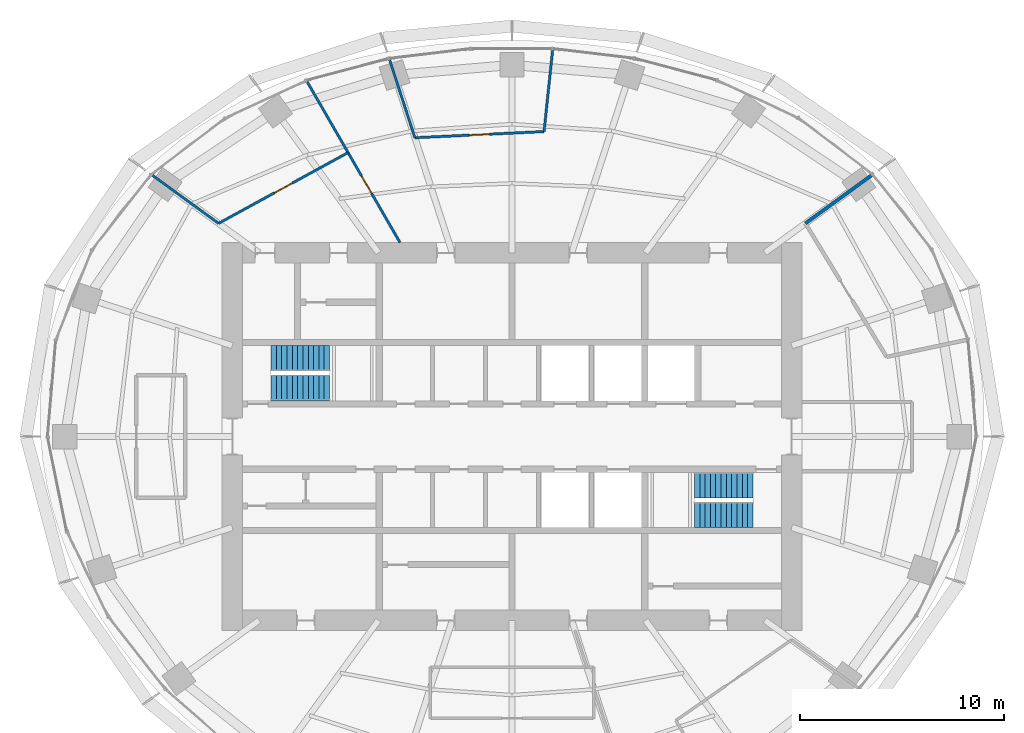
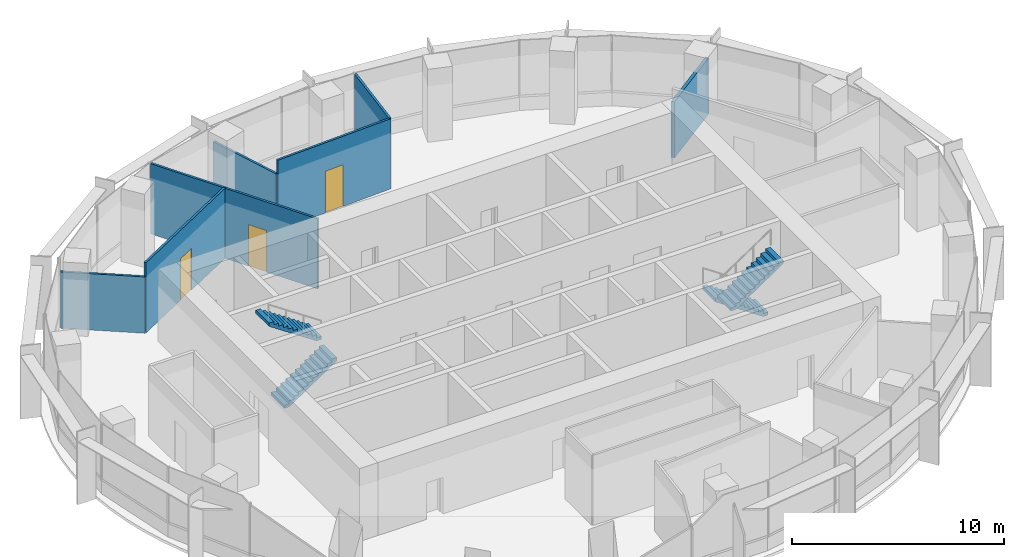
# One storey, part 11 of 13: 7 walls, 4 stair flights, 3 doors, 3 openings, 2 elements without a shape of their own.
"""IFC4 building model written with IfcOpenShell, lengths in metres."""

from ifc_helpers import new_model, si_unit, direction, frame, frame_2d, origin, place, context, subcontext, project, spatial, polyline, rectangle, outline, extrude, material, layer, layer_set, type_object, element, fill, aggregate, save


model = new_model("IFC4")

# Units and contexts
model_context = context("Model", 3, precision=1e-05, world=origin(), true_north=direction((0.0, 1.0)))
body_context = subcontext(model_context, "Body", "Model", "MODEL_VIEW")
ifc_project = project(units=[si_unit("LENGTHUNIT", "METRE"), si_unit("AREAUNIT", "SQUARE_METRE"), si_unit("VOLUMEUNIT", "CUBIC_METRE"), si_unit("PLANEANGLEUNIT", "RADIAN"), si_unit("MASSUNIT", "GRAM", prefix="KILO")], contexts=[model_context])

# Site, building, storey
site_placement = place(None, origin())
site = spatial("IfcSite", under=ifc_project, at=site_placement, CompositionType="ELEMENT")
building_placement = place(site_placement, origin())
building = spatial("IfcBuilding", under=site, at=building_placement, Name="Marramba Exchange Tower", CompositionType="ELEMENT")
storey_placement = place(building_placement, frame((0.0, 0.0, 260.199951171875)))
storey = spatial("IfcBuildingStorey", under=building, at=storey_placement, Name="L63", CompositionType="ELEMENT", Elevation=260.199951171875)

# Walls
ifc_material_1 = material(Name="Plasterboard on staggered double steel studs, acoustic insulation", Category="steel")
ifc_layer_1 = layer(ifc_material_1, 0.169921875)
ifc_layer_set_1 = layer_set([ifc_layer_1], Name="Acoustic partition 170")
wall_type_1 = type_object("IfcWallType", Name="Acoustic partition 170", PredefinedType="PARTITIONING", material=ifc_layer_set_1)
wall_1_placement = place(storey_placement, frame((17.608642578125, 12.79345703125, 0.0), z_axis=(0.0, 0.0, 1.0), x_axis=(-0.809026317077, -0.587772420479, 0.0)))
element("IfcWall", 1, at=wall_1_placement, inside=storey, type_object=wall_type_1, Name="Acoustic partition L63 18", PredefinedType="PARTITIONING", context=body_context, shape_type="SweptSolid", body=[
    extrude(rectangle(XDim=4.0, YDim=0.169921875, at=frame_2d((2.0, 0.0))), origin(), (0.0, 0.0, 1.0), 3.239990234375),
])
ifc_material_2 = material(Name="Plasterboard on steel studs", Category="steel")
ifc_layer_2 = layer(ifc_material_2, 0.1201171875)
ifc_layer_set_2 = layer_set([ifc_layer_2], Name="Partition 120")
wall_type_2 = type_object("IfcWallType", Name="Partition 120", PredefinedType="PARTITIONING", material=ifc_layer_set_2)
wall_2_placement = place(storey_placement, frame((1.5703125, 14.939208984375, 0.0), z_axis=(0.0, 0.0, 1.0), x_axis=(0.104487806028, 0.994526167776, 0.0)))
element("IfcWall", 2, at=wall_2_placement, inside=storey, type_object=wall_type_2, Name="Partition L63 19", PredefinedType="PARTITIONING", context=body_context, shape_type="SweptSolid", body=[
    extrude(rectangle(XDim=4.000244140625, YDim=0.1201171875, at=frame_2d((2.0, 0.0))), origin(), (0.0, 0.0, 1.0), 4.0400390625),
])

# Wall, opening, door
wall_3_placement = place(storey_placement, frame((-4.755615234375, 14.63671875, 0.0), z_axis=(0.0, 0.0, 1.0), x_axis=(0.998858698779, 0.04776295503, 0.0)))
wall_3 = element("IfcWall", 3, at=wall_3_placement, inside=storey, type_object=wall_type_2, Name="Partition L63 20", PredefinedType="PARTITIONING", context=body_context, shape_type="SweptSolid", body=[
    extrude(rectangle(XDim=6.333251953125, YDim=0.1201171875, at=frame_2d((3.16650390625, 0.0))), origin(), (0.0, 0.0, 1.0), 4.0400390625),
])
opening_1_placement = place(wall_3_placement, frame((2.6669921875, 0.0, 0.0)))
opening_1 = element("IfcOpeningElement", 4, at=opening_1_placement, cuts=wall_3, Name="Opening D9", PredefinedType="OPENING", context=body_context, shape_type="SweptSolid", body=[
    extrude(rectangle(XDim=1.0, YDim=2.39990234375, at=frame_2d((0.5, 1.199951171875))), frame((0.0, 0.070068359375, 0.0), z_axis=(0.0, -1.0, 0.0), x_axis=(1.0, 0.0, 0.0)), (0.0, 0.0, 1.0), 0.14013671875),
])
ifc_material_3 = material(Name="Timber door", Category="wood")
door_type = type_object("IfcDoorType", Name="Room door 1000x2400", OperationType="SINGLE_SWING_LEFT", PredefinedType="DOOR", material=ifc_material_3)
door_1_placement = place(opening_1_placement, origin())
door_1 = element("IfcDoor", 5, at=door_1_placement, inside=storey, type_object=door_type, Name="D9 Executive Office 1 L63", OperationType="SINGLE_SWING_RIGHT", OverallHeight=2.39990234375, OverallWidth=1.0, PredefinedType="DOOR", context=body_context, shape_type="SweptSolid", body=[
    extrude(rectangle(XDim=1.0, YDim=2.39990234375, at=frame_2d((0.5, 1.199951171875))), frame((0.0, 0.02490234375, 0.0), z_axis=(0.0, -1.0, 0.0), x_axis=(1.0, 0.0, 0.0)), (0.0, 0.0, 1.0), 0.050048828125),
])
fill(opening_1, door_1)

# Wall
wall_4_placement = place(storey_placement, frame((-5.99169921875, 18.44091796875, 0.0), z_axis=(0.0, 0.0, 1.0), x_axis=(0.309022586479, -0.951054699292, 0.0)))
element("IfcWall", 6, at=wall_4_placement, inside=storey, type_object=wall_type_2, Name="Partition L63 21", PredefinedType="PARTITIONING", context=body_context, shape_type="SweptSolid", body=[
    extrude(rectangle(XDim=4.0, YDim=0.1201171875, at=frame_2d((2.0, 0.0))), origin(), (0.0, 0.0, 1.0), 3.239990234375),
])

# Wall, opening, door
wall_5_placement = place(storey_placement, frame((-5.48486328125, 9.5, 0.0), z_axis=(0.0, 0.0, 1.0), x_axis=(-0.499988999718, 0.866031754707, 0.0)))
wall_5 = element("IfcWall", 7, at=wall_5_placement, inside=storey, type_object=wall_type_2, Name="Partition L63 22", PredefinedType="PARTITIONING", context=body_context, shape_type="SweptSolid", body=[
    extrude(rectangle(XDim=9.091552734375, YDim=0.1201171875, at=frame_2d((4.5458984375, 0.0))), origin(), (0.0, 0.0, 1.0), 4.0400390625),
])
opening_2_placement = place(wall_5_placement, frame((2.77197265625, 0.0, 0.0)))
opening_2 = element("IfcOpeningElement", 8, at=opening_2_placement, cuts=wall_5, Name="Opening D9", PredefinedType="OPENING", context=body_context, shape_type="SweptSolid", body=[
    extrude(rectangle(XDim=1.0, YDim=2.39990234375, at=frame_2d((0.5, 1.199951171875))), frame((0.0, 0.070068359375, 0.0), z_axis=(0.0, -1.0, 0.0), x_axis=(1.0, 0.0, 0.0)), (0.0, 0.0, 1.0), 0.14013671875),
])
door_2_placement = place(opening_2_placement, origin())
door_2 = element("IfcDoor", 9, at=door_2_placement, inside=storey, type_object=door_type, Name="D9 Executive Lounge L63", OperationType="SINGLE_SWING_RIGHT", OverallHeight=2.39990234375, OverallWidth=1.0, PredefinedType="DOOR", context=body_context, shape_type="SweptSolid", body=[
    extrude(rectangle(XDim=1.0, YDim=2.39990234375, at=frame_2d((0.5, 1.199951171875))), frame((0.0, 0.02490234375, 0.0), z_axis=(0.0, -1.0, 0.0), x_axis=(1.0, 0.0, 0.0)), (0.0, 0.0, 1.0), 0.050048828125),
])
fill(opening_2, door_2)

wall_6_placement = place(storey_placement, frame((-14.37255859375, 10.4423828125, 0.0), z_axis=(0.0, 0.0, 1.0), x_axis=(0.877444670923, 0.479677860099, 0.0)))
wall_6 = element("IfcWall", 10, at=wall_6_placement, inside=storey, type_object=wall_type_2, Name="Partition L63 23", PredefinedType="PARTITIONING", context=body_context, shape_type="SweptSolid", body=[
    extrude(rectangle(XDim=7.227783203125, YDim=0.1201171875, at=frame_2d((3.61376953125, 0.0))), origin(), (0.0, 0.0, 1.0), 4.0400390625),
])
opening_3_placement = place(wall_6_placement, frame((3.114013671875, 0.0, 0.0)))
opening_3 = element("IfcOpeningElement", 11, at=opening_3_placement, cuts=wall_6, Name="Opening D9", PredefinedType="OPENING", context=body_context, shape_type="SweptSolid", body=[
    extrude(rectangle(XDim=1.0, YDim=2.39990234375, at=frame_2d((0.5, 1.199951171875))), frame((0.0, 0.070068359375, 0.0), z_axis=(0.0, -1.0, 0.0), x_axis=(1.0, 0.0, 0.0)), (0.0, 0.0, 1.0), 0.14013671875),
])
door_3_placement = place(opening_3_placement, origin())
door_3 = element("IfcDoor", 12, at=door_3_placement, inside=storey, type_object=door_type, Name="D9 Executive Office 2 L63", OperationType="SINGLE_SWING_RIGHT", OverallHeight=2.39990234375, OverallWidth=1.0, PredefinedType="DOOR", context=body_context, shape_type="SweptSolid", body=[
    extrude(rectangle(XDim=1.0, YDim=2.39990234375, at=frame_2d((0.5, 1.199951171875))), frame((0.0, 0.02490234375, 0.0), z_axis=(0.0, -1.0, 0.0), x_axis=(1.0, 0.0, 0.0)), (0.0, 0.0, 1.0), 0.050048828125),
])
fill(opening_3, door_3)

# Wall
wall_7_placement = place(storey_placement, frame((-17.608642578125, 12.79345703125, 0.0), z_axis=(0.0, 0.0, 1.0), x_axis=(0.809026317077, -0.587772420479, 0.0)))
element("IfcWall", 13, at=wall_7_placement, inside=storey, type_object=wall_type_2, Name="Partition L63 24", PredefinedType="PARTITIONING", context=body_context, shape_type="SweptSolid", body=[
    extrude(rectangle(XDim=4.0, YDim=0.1201171875, at=frame_2d((2.0, 0.0))), origin(), (0.0, 0.0, 1.0), 3.239990234375),
])

# Stair, stair flights
ifc_material_4 = material(Name="Concrete N40 (40 MPa)", Category="concrete")
stair_type_1 = type_object("IfcStairType", Name="Exit stair ST1 4200 x 1250", PredefinedType="HALF_TURN_STAIR", material=ifc_material_4)
stair_1_placement = place(storey_placement, origin())
stair_1 = element("IfcStair", 14, at=stair_1_placement, inside=storey, type_object=stair_type_1, Name="Exit stair ST1 L63", PredefinedType="HALF_TURN_STAIR")
stair_flight_type_1 = type_object("IfcStairFlightType", Name="ST1 stair flight 1750 riser 1250 wide", PredefinedType="STRAIGHT", material=ifc_material_4)
stair_flight_1_placement = place(storey_placement, frame((-11.800048828125, 2.375, 0.0), z_axis=(0.0, 0.0, 1.0), x_axis=(1.0, 0.0, 0.0)))
stair_flight_1 = element("IfcStairFlight", 15, at=stair_flight_1_placement, type_object=stair_flight_type_1, Name="ST1 flight 1", NumberOfRisers=12, NumberOfTreads=11, PredefinedType="STRAIGHT", RiserHeight=0.175, TreadLength=0.26, context=body_context, shape_type="SweptSolid", body=[
    extrude(outline(polyline([(0.0, 0.0), (0.0, 0.175048828125), (0.260009765625, 0.175048828125), (0.260009765625, 0.35009765625), (0.52001953125, 0.35009765625), (0.52001953125, 0.52490234375), (0.780029296875, 0.52490234375), (0.780029296875, 0.699951171875), (1.0400390625, 0.699951171875), (1.0400390625, 0.875), (1.300048828125, 0.875), (1.300048828125, 1.050048828125), (1.56005859375, 1.050048828125), (1.56005859375, 1.22509765625), (1.820068359375, 1.22509765625), (1.820068359375, 1.39990234375), (2.080078125, 1.39990234375), (2.080078125, 1.574951171875), (2.340087890625, 1.574951171875), (2.340087890625, 1.75), (2.60009765625, 1.75), (2.60009765625, 1.925048828125), (2.860107421875, 1.925048828125), (2.860107421875, 2.10009765625), (2.860107421875, 1.744384765625), (0.2685546875, 0.0), (0.0, 0.0)])), frame((0.0, 0.625, 0.0), z_axis=(0.0, -1.0, 0.0), x_axis=(1.0, 0.0, 0.0)), (0.0, 0.0, 1.0), 1.25),
])
stair_flight_2_placement = place(storey_placement, frame((-8.93994140625, 3.824951171875, 2.10009765625), z_axis=(0.0, 0.0, 1.0), x_axis=(-1.0, 0.0, 0.0)))
stair_flight_2 = element("IfcStairFlight", 16, at=stair_flight_2_placement, type_object=stair_flight_type_1, Name="ST1 flight 2", NumberOfRisers=12, NumberOfTreads=11, PredefinedType="STRAIGHT", RiserHeight=0.175, TreadLength=0.26, context=body_context, shape_type="SweptSolid", body=[
    extrude(outline(polyline([(0.0, 0.0), (0.0, 0.175048828125), (0.260009765625, 0.175048828125), (0.260009765625, 0.35009765625), (0.52001953125, 0.35009765625), (0.52001953125, 0.52490234375), (0.780029296875, 0.52490234375), (0.780029296875, 0.699951171875), (1.0400390625, 0.699951171875), (1.0400390625, 0.875), (1.300048828125, 0.875), (1.300048828125, 1.050048828125), (1.56005859375, 1.050048828125), (1.56005859375, 1.22509765625), (1.820068359375, 1.22509765625), (1.820068359375, 1.39990234375), (2.080078125, 1.39990234375), (2.080078125, 1.574951171875), (2.340087890625, 1.574951171875), (2.340087890625, 1.75), (2.60009765625, 1.75), (2.60009765625, 1.925048828125), (2.860107421875, 1.925048828125), (2.860107421875, 2.10009765625), (2.860107421875, 1.744384765625), (0.2685546875, 0.0), (0.0, 0.0)])), frame((0.0, 0.625, 0.0), z_axis=(0.0, -1.0, 0.0), x_axis=(1.0, 0.0, 0.0)), (0.0, 0.0, 1.0), 1.25),
])
aggregate(stair_1, [stair_flight_1, stair_flight_2])

stair_type_2 = type_object("IfcStairType", Name="Exit stair ST2 4200 x 1250", PredefinedType="HALF_TURN_STAIR", material=ifc_material_4)
stair_2_placement = place(storey_placement, origin())
stair_2 = element("IfcStair", 17, at=stair_2_placement, inside=storey, type_object=stair_type_2, Name="Exit stair ST2 L63", PredefinedType="HALF_TURN_STAIR")
stair_flight_type_2 = type_object("IfcStairFlightType", Name="ST2 stair flight 1750 riser 1250 wide", PredefinedType="STRAIGHT", material=ifc_material_4)
stair_flight_3_placement = place(storey_placement, frame((11.800048828125, -2.375, 0.0), z_axis=(0.0, 0.0, 1.0), x_axis=(-1.0, 0.0, 0.0)))
stair_flight_3 = element("IfcStairFlight", 18, at=stair_flight_3_placement, type_object=stair_flight_type_2, Name="ST2 flight 1", NumberOfRisers=12, NumberOfTreads=11, PredefinedType="STRAIGHT", RiserHeight=0.175, TreadLength=0.26, context=body_context, shape_type="SweptSolid", body=[
    extrude(outline(polyline([(0.0, 0.0), (0.0, 0.175048828125), (0.260009765625, 0.175048828125), (0.260009765625, 0.35009765625), (0.52001953125, 0.35009765625), (0.52001953125, 0.52490234375), (0.780029296875, 0.52490234375), (0.780029296875, 0.699951171875), (1.0400390625, 0.699951171875), (1.0400390625, 0.875), (1.300048828125, 0.875), (1.300048828125, 1.050048828125), (1.56005859375, 1.050048828125), (1.56005859375, 1.22509765625), (1.820068359375, 1.22509765625), (1.820068359375, 1.39990234375), (2.080078125, 1.39990234375), (2.080078125, 1.574951171875), (2.340087890625, 1.574951171875), (2.340087890625, 1.75), (2.60009765625, 1.75), (2.60009765625, 1.925048828125), (2.860107421875, 1.925048828125), (2.860107421875, 2.10009765625), (2.860107421875, 1.744384765625), (0.2685546875, 0.0), (0.0, 0.0)])), frame((0.0, 0.625, 0.0), z_axis=(0.0, -1.0, 0.0), x_axis=(1.0, 0.0, 0.0)), (0.0, 0.0, 1.0), 1.25),
])
stair_flight_4_placement = place(storey_placement, frame((8.93994140625, -3.824951171875, 2.10009765625), z_axis=(0.0, 0.0, 1.0), x_axis=(1.0, 0.0, 0.0)))
stair_flight_4 = element("IfcStairFlight", 19, at=stair_flight_4_placement, type_object=stair_flight_type_2, Name="ST2 flight 2", NumberOfRisers=12, NumberOfTreads=11, PredefinedType="STRAIGHT", RiserHeight=0.175, TreadLength=0.26, context=body_context, shape_type="SweptSolid", body=[
    extrude(outline(polyline([(0.0, 0.0), (0.0, 0.175048828125), (0.260009765625, 0.175048828125), (0.260009765625, 0.35009765625), (0.52001953125, 0.35009765625), (0.52001953125, 0.52490234375), (0.780029296875, 0.52490234375), (0.780029296875, 0.699951171875), (1.0400390625, 0.699951171875), (1.0400390625, 0.875), (1.300048828125, 0.875), (1.300048828125, 1.050048828125), (1.56005859375, 1.050048828125), (1.56005859375, 1.22509765625), (1.820068359375, 1.22509765625), (1.820068359375, 1.39990234375), (2.080078125, 1.39990234375), (2.080078125, 1.574951171875), (2.340087890625, 1.574951171875), (2.340087890625, 1.75), (2.60009765625, 1.75), (2.60009765625, 1.925048828125), (2.860107421875, 1.925048828125), (2.860107421875, 2.10009765625), (2.860107421875, 1.744384765625), (0.2685546875, 0.0), (0.0, 0.0)])), frame((0.0, 0.625, 0.0), z_axis=(0.0, -1.0, 0.0), x_axis=(1.0, 0.0, 0.0)), (0.0, 0.0, 1.0), 1.25),
])
aggregate(stair_2, [stair_flight_3, stair_flight_4])

save(model, "model.ifc")
